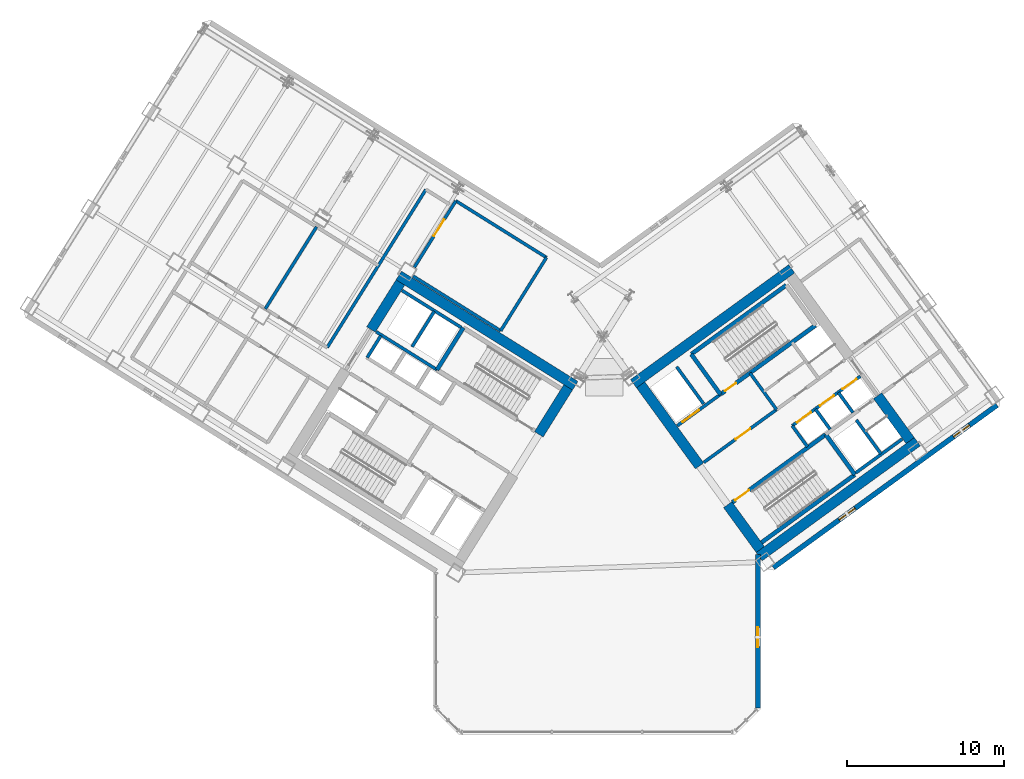
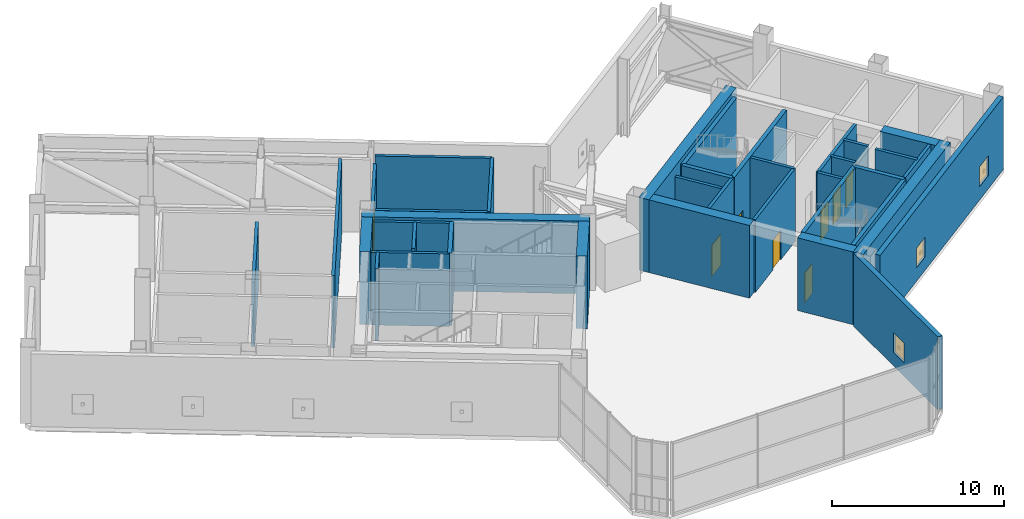
# One storey, part 15 of 21: 37 walls, 8 doors, 3 windows, 11 openings.
"""IFC4 building model written with IfcOpenShell, lengths in metres."""

from ifc_helpers import new_model, si_unit, direction, frame, frame_2d, origin, place, context, subcontext, project, spatial, rectangle, extrude, source, transform, mapped, material, layer, layer_set, type_object, element, fill, save


model = new_model("IFC4")

# Units and contexts
model_context = context("Model", 3, precision=1e-05, world=origin(), true_north=direction((0.0, 1.0)))
body_context = subcontext(model_context, "Body", "Model", "MODEL_VIEW")
ifc_project = project(units=[si_unit("LENGTHUNIT", "METRE"), si_unit("AREAUNIT", "SQUARE_METRE"), si_unit("VOLUMEUNIT", "CUBIC_METRE"), si_unit("PLANEANGLEUNIT", "RADIAN"), si_unit("MASSUNIT", "GRAM", prefix="KILO")], contexts=[model_context])

# Site, building, storey
site_placement = place(None, origin())
site = spatial("IfcSite", under=ifc_project, at=site_placement, CompositionType="ELEMENT")
building_placement = place(site_placement, origin())
building = spatial("IfcBuilding", under=site, at=building_placement, Name="Tlacorven Tower", CompositionType="ELEMENT")
storey_placement = place(building_placement, frame((0.0, 0.0, 84.60009765625)))
storey = spatial("IfcBuildingStorey", under=building, at=storey_placement, Name="L21", CompositionType="ELEMENT", Elevation=84.60009765625)

# Walls
ifc_material_1 = material(Name="Concrete C60/75", Category="concrete")
ifc_layer_1 = layer(ifc_material_1, 0.64990234375)
ifc_layer_set_1 = layer_set([ifc_layer_1], Name="Concrete C60/75")
wall_type_1 = type_object("IfcWallType", Name="WL-COR-650", PredefinedType="SHEAR", material=ifc_layer_set_1)
wall_1_placement = place(storey_placement, frame((40.615478515625, 23.9833984375, 0.0), z_axis=(0.0, 0.0, 1.0), x_axis=(-0.848045953968, 0.529922692436, 0.0)))
element("IfcWall", 1, at=wall_1_placement, inside=storey, type_object=wall_type_1, Name="L21 W core shear wall S1", PredefinedType="SHEAR", context=body_context, shape_type="SweptSolid", body=[
    extrude(rectangle(XDim=13.239990234375, YDim=0.64990234375, at=frame_2d((6.6201171875, 0.0))), origin(), (0.0, 0.0, 1.0), 5.14990234375),
])
for number, where, z_axis, x_axis, name in (
    (2, (40.167724609375, 23.880126953125, 0.0), (0.0, 0.0, 1.0), (-0.529893103397, -0.8480644427, 0.0), "L21 W core end wall E1.1"),
    (3, (29.49072265625, 30.5517578125, 0.0), (0.0, 0.0, 1.0), (-0.529893103397, -0.8480644427, 0.0), "L21 W core end wall E2.1"),
):
    element("IfcWall", number, at=place(storey_placement, frame(where, z_axis=z_axis, x_axis=x_axis)), inside=storey, type_object=wall_type_1, Name=name, PredefinedType="SHEAR", context=body_context, shape_type="SweptSolid", body=[
        extrude(rectangle(XDim=3.525146484375, YDim=0.64990234375, at=frame_2d((1.7626953125, 0.0))), origin(), (0.0, 0.0, 1.0), 5.14990234375),
    ])
wall_2_placement = place(storey_placement, frame((52.318359375, 13.1103515625, 0.0), z_axis=(0.0, 0.0, 1.0), x_axis=(0.809019445368, 0.587781878776, 0.0)))
element("IfcWall", 4, at=wall_2_placement, inside=storey, type_object=wall_type_1, Name="L21 E core shear wall S1", PredefinedType="SHEAR", context=body_context, shape_type="SweptSolid", body=[
    extrude(rectangle(XDim=12.43994140625, YDim=0.64990234375, at=frame_2d((6.219970703125, 0.0))), origin(), (0.0, 0.0, 1.0), 5.14990234375),
])
wall_3_placement = place(storey_placement, frame((44.32470703125, 24.113037109375, 0.0), z_axis=(0.0, 0.0, 1.0), x_axis=(0.809012664862, 0.58779121131, 0.0)))
element("IfcWall", 5, at=wall_3_placement, inside=storey, type_object=wall_type_1, Name="L21 E core shear wall S2", PredefinedType="SHEAR", context=body_context, shape_type="SweptSolid", body=[
    extrude(rectangle(XDim=12.439697265625, YDim=0.64990234375, at=frame_2d((6.2197265625, 0.0))), origin(), (0.0, 0.0, 1.0), 5.14990234375),
])
wall_4_placement = place(storey_placement, frame((52.390380859375, 13.564208984375, 0.0), z_axis=(0.0, 0.0, 1.0), x_axis=(-0.58779688989, 0.809008539037, 0.0)))
element("IfcWall", 6, at=wall_4_placement, inside=storey, type_object=wall_type_1, Name="L21 E core end wall E1.1", PredefinedType="SHEAR", context=body_context, shape_type="SweptSolid", body=[
    extrude(rectangle(XDim=3.525146484375, YDim=0.64990234375, at=frame_2d((1.7626953125, 0.0))), origin(), (0.0, 0.0, 1.0), 5.14990234375),
])
wall_5_placement = place(storey_placement, frame((48.525634765625, 18.883544921875, 0.0), z_axis=(0.0, 0.0, 1.0), x_axis=(-0.58777996584, 0.809020835181, 0.0)))
element("IfcWall", 7, at=wall_5_placement, inside=storey, type_object=wall_type_1, Name="L21 E core end wall E1.2", PredefinedType="SHEAR", context=body_context, shape_type="SweptSolid", body=[
    extrude(rectangle(XDim=6.375, YDim=0.64990234375, at=frame_2d((3.1875, 0.0))), origin(), (0.0, 0.0, 1.0), 5.14990234375),
])
wall_6_placement = place(storey_placement, frame((61.9287109375, 20.494384765625, 0.0), z_axis=(0.0, 0.0, 1.0), x_axis=(-0.58782982593, 0.808984607855, 0.0)))
element("IfcWall", 8, at=wall_6_placement, inside=storey, type_object=wall_type_1, Name="L21 E core end wall E2.1", PredefinedType="SHEAR", context=body_context, shape_type="SweptSolid", body=[
    extrude(rectangle(XDim=3.52490234375, YDim=0.64990234375, at=frame_2d((1.762451171875, 0.0))), origin(), (0.0, 0.0, 1.0), 5.14990234375),
])

# Wall, openings, windows
ifc_material_2 = material(Name="Precast concrete C45/55", Category="concrete")
ifc_layer_2 = layer(ifc_material_2, 0.320068359375)
ifc_layer_set_2 = layer_set([ifc_layer_2], Name="Precast concrete C45/55")
wall_type_2 = type_object("IfcWallType", Name="WL-EXT-320", PredefinedType="STANDARD", material=ifc_layer_set_2)
wall_7_placement = place(storey_placement, frame((67.45361328125, 22.746826171875, 0.0), z_axis=(0.0, 0.0, 1.0), x_axis=(-0.809021120468, -0.587779573171, 0.0)))
wall_7 = element("IfcWall", 9, at=wall_7_placement, inside=storey, type_object=wall_type_2, Name="L21 Masonry-Frame Recessed Facade Wall 6", PredefinedType="STANDARD", context=body_context, shape_type="SweptSolid", body=[
    extrude(rectangle(XDim=17.587646484375, YDim=0.320068359375, at=frame_2d((8.7939453125, 0.0))), origin(), (0.0, 0.0, 1.0), 5.14990234375),
])
opening_1_placement = place(wall_7_placement, frame((2.168701171875, 0.0, 0.949951171875)))
opening_1 = element("IfcOpeningElement", 10, at=opening_1_placement, cuts=wall_7, Name="Opening WN20", PredefinedType="OPENING", context=body_context, shape_type="SweptSolid", body=[
    extrude(rectangle(XDim=1.25, YDim=1.39990234375, at=frame_2d((0.625, 0.699951171875))), frame((0.0, 0.169921875, 0.0), z_axis=(0.0, -1.0, 0.0), x_axis=(1.0, 0.0, 0.0)), (0.0, 0.0, 1.0), 0.340087890625),
])
opening_2_placement = place(wall_7_placement, frame((11.168701171875, 0.0, 0.949951171875)))
opening_2 = element("IfcOpeningElement", 11, at=opening_2_placement, cuts=wall_7, Name="Opening WN20", PredefinedType="OPENING", context=body_context, shape_type="SweptSolid", body=[
    extrude(rectangle(XDim=1.25, YDim=1.39990234375, at=frame_2d((0.625, 0.699951171875))), frame((0.0, 0.169921875, 0.0), z_axis=(0.0, -1.0, 0.0), x_axis=(1.0, 0.0, 0.0)), (0.0, 0.0, 1.0), 0.340087890625),
])
ifc_material_3 = material(Name="Dark solar low-E double glazing in anodised aluminium frame", Category="aluminium")
window_type = type_object("IfcWindowType", Name="WN-CRN-1250X1500", PartitioningType="SINGLE_PANEL", PredefinedType="WINDOW", material=ifc_material_3)
shared_shape_1 = source(origin(), body_context, "Body", "SweptSolid", [
    extrude(rectangle(XDim=1.25, YDim=1.39990234375, at=frame_2d((0.625, 0.699951171875))), frame((0.0, 0.030029296875, 0.0), z_axis=(0.0, -1.0, 0.0), x_axis=(1.0, 0.0, 0.0)), (0.0, 0.0, 1.0), 0.06005859375),
])
window_1_placement = place(opening_1_placement, origin())
window_1 = element("IfcWindow", 12, at=window_1_placement, inside=storey, type_object=window_type, Name="L21 Acoustic Plant Facade Window 6.1", OverallHeight=1.39990234375, OverallWidth=1.25, PartitioningType="SINGLE_PANEL", PredefinedType="WINDOW", context=body_context, shape_type="MappedRepresentation", body=[
    mapped(shared_shape_1, transform((0.0, 0.0, 0.0), scale=1.0)),
])
fill(opening_1, window_1)
window_2_placement = place(opening_2_placement, origin())
window_2 = element("IfcWindow", 13, at=window_2_placement, inside=storey, type_object=window_type, Name="L21 Acoustic Plant Facade Window 6.2", OverallHeight=1.39990234375, OverallWidth=1.25, PartitioningType="SINGLE_PANEL", PredefinedType="WINDOW", context=body_context, shape_type="MappedRepresentation", body=[
    mapped(shared_shape_1, transform((0.0, 0.0, 0.0), scale=1.0)),
])
fill(opening_2, window_2)

# Wall, opening, window
wall_8_placement = place(storey_placement, frame((52.239990234375, 13.260986328125, 0.0), z_axis=(0.0, 0.0, 1.0), x_axis=(0.0, -1.0, 0.0)))
wall_8 = element("IfcWall", 14, at=wall_8_placement, inside=storey, type_object=wall_type_2, Name="L21 Masonry-Frame Recessed Facade Wall 7", PredefinedType="STANDARD", context=body_context, shape_type="SweptSolid", body=[
    extrude(rectangle(XDim=9.794677734375, YDim=0.320068359375, at=frame_2d((4.8974609375, 0.0))), origin(), (0.0, 0.0, 1.0), 5.14990234375),
])
opening_3_placement = place(wall_8_placement, frame((4.6513671875, 0.0, 0.949951171875)))
opening_3 = element("IfcOpeningElement", 15, at=opening_3_placement, cuts=wall_8, Name="Opening WN20", PredefinedType="OPENING", context=body_context, shape_type="SweptSolid", body=[
    extrude(rectangle(XDim=1.25, YDim=1.39990234375, at=frame_2d((0.625, 0.699951171875))), frame((0.0, 0.169921875, 0.0), z_axis=(0.0, -1.0, 0.0), x_axis=(1.0, 0.0, 0.0)), (0.0, 0.0, 1.0), 0.340087890625),
])
window_3_placement = place(opening_3_placement, origin())
window_3 = element("IfcWindow", 16, at=window_3_placement, inside=storey, type_object=window_type, Name="L21 Acoustic Plant Facade Window 7.1", OverallHeight=1.39990234375, OverallWidth=1.25, PartitioningType="SINGLE_PANEL", PredefinedType="WINDOW", context=body_context, shape_type="MappedRepresentation", body=[
    mapped(shared_shape_1, transform((0.0, 0.0, 0.0), scale=1.0)),
])
fill(opening_3, window_3)

# Walls
ifc_material_4 = material(Name="Concrete C40/50", Category="concrete")
ifc_layer_3 = layer(ifc_material_4, 0.199951171875)
ifc_layer_set_3 = layer_set([ifc_layer_3], Name="Concrete C40/50")
wall_type_3 = type_object("IfcWallType", Name="WL-SHF-200", PredefinedType="STANDARD", material=ifc_layer_set_3)
wall_9_placement = place(storey_placement, frame((31.82177734375, 24.99755859375, 0.0), z_axis=(0.0, 0.0, 1.0), x_axis=(-0.848058348634, 0.529902856485, 0.0)))
element("IfcWall", 17, at=wall_9_placement, inside=storey, type_object=wall_type_3, Name="L21 Core W South Lift Shaft Wall", PredefinedType="STANDARD", context=body_context, shape_type="SweptSolid", body=[
    extrude(rectangle(XDim=4.568115234375, YDim=0.199951171875, at=frame_2d((2.2841796875, 0.0))), origin(), (0.0, 0.0, 1.0), 5.139892578125),
])
wall_10_placement = place(storey_placement, frame((28.250244140625, 27.170166015625, 0.0), z_axis=(0.0, 0.0, 1.0), x_axis=(-0.529905827651, -0.848056492117, 0.0)))
element("IfcWall", 18, at=wall_10_placement, inside=storey, type_object=wall_type_3, Name="L21 partition 13", PredefinedType="STANDARD", context=body_context, shape_type="SweptSolid", body=[
    extrude(rectangle(XDim=1.64990234375, YDim=0.199951171875, at=frame_2d((0.824951171875, 0.0))), origin(), (0.0, 0.0, 1.0), 5.139892578125),
])
wall_11_placement = place(storey_placement, frame((31.645263671875, 28.716064453125, 0.0), z_axis=(0.0, 0.0, 1.0), x_axis=(-0.52986693015, -0.848080795876, 0.0)))
element("IfcWall", 19, at=wall_11_placement, inside=storey, type_object=wall_type_3, Name="L21 partition 15", PredefinedType="STANDARD", context=body_context, shape_type="SweptSolid", body=[
    extrude(rectangle(XDim=2.659912109375, YDim=0.199951171875, at=frame_2d((1.330078125, 0.0))), origin(), (0.0, 0.0, 1.0), 5.139892578125),
])
wall_12_placement = place(storey_placement, frame((33.362548828125, 27.690185546875, 0.0), z_axis=(0.0, 0.0, 1.0), x_axis=(-0.848053806312, 0.529910125964, 0.0)))
element("IfcWall", 20, at=wall_12_placement, inside=storey, type_object=wall_type_3, Name="L21 partition 17", PredefinedType="STANDARD", context=body_context, shape_type="SweptSolid", body=[
    extrude(rectangle(XDim=4.44775390625, YDim=0.199951171875, at=frame_2d((2.223876953125, 0.0))), origin(), (0.0, 0.0, 1.0), 5.139892578125),
])

# Wall, opening, door
wall_13_placement = place(storey_placement, frame((47.10595703125, 21.4365234375, 0.0), z_axis=(0.0, 0.0, 1.0), x_axis=(0.809012514015, 0.58779141893, 0.0)))
wall_13 = element("IfcWall", 21, at=wall_13_placement, inside=storey, type_object=wall_type_3, Name="L21 Core E Firefighting Lift Shaft Front Wall", PredefinedType="STANDARD", context=body_context, shape_type="SweptSolid", body=[
    extrude(rectangle(XDim=3.39794921875, YDim=0.199951171875, at=frame_2d((1.698974609375, 0.0))), origin(), (0.0, 0.0, 1.0), 5.139892578125),
])
opening_4_placement = place(wall_13_placement, frame((0.407958984375, 0.0, 0.0)))
opening_4 = element("IfcOpeningElement", 22, at=opening_4_placement, cuts=wall_13, Name="Opening LD03", PredefinedType="OPENING", context=body_context, shape_type="SweptSolid", body=[
    extrude(rectangle(XDim=1.300048828125, YDim=2.199951171875, at=frame_2d((0.64990234375, 1.10009765625))), frame((0.0, 0.10986328125, 0.0), z_axis=(0.0, -1.0, 0.0), x_axis=(1.0, 0.0, 0.0)), (0.0, 0.0, 1.0), 0.219970703125),
])
ifc_material_5 = material(Name="Fire-rated steel door assembly", Category="steel")
door_type_1 = type_object("IfcDoorType", Name="DR-LFT-SLID-1300", OperationType="DOUBLE_DOOR_SLIDING", PredefinedType="DOOR", material=ifc_material_5)
shared_shape_2 = source(origin(), body_context, "Body", "SweptSolid", [
    extrude(rectangle(XDim=1.300048828125, YDim=2.199951171875, at=frame_2d((0.64990234375, 1.10009765625))), frame((0.0, 0.02490234375, 0.0), z_axis=(0.0, -1.0, 0.0), x_axis=(1.0, 0.0, 0.0)), (0.0, 0.0, 1.0), 0.050048828125),
])
door_1_placement = place(opening_4_placement, origin())
door_1 = element("IfcDoor", 23, at=door_1_placement, inside=storey, type_object=door_type_1, Name="L21 Lift FFL-E1 Sliding Landing Door", OperationType="DOUBLE_DOOR_SLIDING", OverallHeight=2.199951171875, OverallWidth=1.300048828125, PredefinedType="DOOR", context=body_context, shape_type="MappedRepresentation", body=[
    mapped(shared_shape_2, transform((0.0, 0.0, 0.0), scale=1.0)),
])
fill(opening_4, door_1)

wall_14_placement = place(storey_placement, frame((48.798828125, 19.106689453125, 0.0), z_axis=(0.0, 0.0, 1.0), x_axis=(0.809012959416, 0.587790805897, 0.0)))
wall_14 = element("IfcWall", 24, at=wall_14_placement, inside=storey, type_object=wall_type_3, Name="L21 Core E Smoke Lobby Wall", PredefinedType="STANDARD", context=body_context, shape_type="SweptSolid", body=[
    extrude(rectangle(XDim=5.7177734375, YDim=0.199951171875, at=frame_2d((2.85888671875, 0.0))), origin(), (0.0, 0.0, 1.0), 5.139892578125),
])
opening_5_placement = place(wall_14_placement, frame((2.498046875, 0.0, 0.0)))
opening_5 = element("IfcOpeningElement", 25, at=opening_5_placement, cuts=wall_14, Name="Opening D09", PredefinedType="OPENING", context=body_context, shape_type="SweptSolid", body=[
    extrude(rectangle(XDim=1.14990234375, YDim=2.10009765625, at=frame_2d((0.574951171875, 1.050048828125))), frame((0.0, 0.10986328125, 0.0), z_axis=(0.0, -1.0, 0.0), x_axis=(1.0, 0.0, 0.0)), (0.0, 0.0, 1.0), 0.219970703125),
])
door_type_2 = type_object("IfcDoorType", Name="DR-FFL-FD60-1150", OperationType="NOTDEFINED", PredefinedType="DOOR", material=ifc_material_5)
shared_shape_3 = source(origin(), body_context, "Body", "SweptSolid", [
    extrude(rectangle(XDim=1.14990234375, YDim=2.10009765625, at=frame_2d((0.574951171875, 1.050048828125))), frame((0.0, 0.02490234375, 0.0), z_axis=(0.0, -1.0, 0.0), x_axis=(1.0, 0.0, 0.0)), (0.0, 0.0, 1.0), 0.050048828125),
])
door_2_placement = place(opening_5_placement, origin())
door_2 = element("IfcDoor", 26, at=door_2_placement, inside=storey, type_object=door_type_2, Name="L21 Firefighting Lobby E Fire Door", OperationType="SINGLE_SWING_RIGHT", OverallHeight=2.10009765625, OverallWidth=1.14990234375, PredefinedType="DOOR", context=body_context, shape_type="MappedRepresentation", body=[
    mapped(shared_shape_3, transform((0.0, 0.0, 0.0), scale=1.0)),
])
fill(opening_5, door_2)

# Wall, openings, doors
wall_15_placement = place(storey_placement, frame((54.421142578125, 21.436279296875, 0.0), z_axis=(0.0, 0.0, 1.0), x_axis=(0.809013710463, 0.587789772183, 0.0)))
wall_15 = element("IfcWall", 27, at=wall_15_placement, inside=storey, type_object=wall_type_3, Name="L21 partition 33", PredefinedType="STANDARD", context=body_context, shape_type="SweptSolid", body=[
    extrude(rectangle(XDim=5.360107421875, YDim=0.199951171875, at=frame_2d((2.68017578125, 0.0))), origin(), (0.0, 0.0, 1.0), 5.139892578125),
])
opening_6_placement = place(wall_15_placement, frame((0.3701171875, 0.0, 0.0)))
opening_6 = element("IfcOpeningElement", 28, at=opening_6_placement, cuts=wall_15, Name="Opening LD01", PredefinedType="OPENING", context=body_context, shape_type="SweptSolid", body=[
    extrude(rectangle(XDim=1.10009765625, YDim=2.14990234375, at=frame_2d((0.550048828125, 1.074951171875))), frame((0.0, 0.10986328125, 0.0), z_axis=(0.0, -1.0, 0.0), x_axis=(1.0, 0.0, 0.0)), (0.0, 0.0, 1.0), 0.219970703125),
])
opening_7_placement = place(wall_15_placement, frame((2.169921875, 0.0, 0.0)))
opening_7 = element("IfcOpeningElement", 29, at=opening_7_placement, cuts=wall_15, Name="Opening LD01", PredefinedType="OPENING", context=body_context, shape_type="SweptSolid", body=[
    extrude(rectangle(XDim=1.10009765625, YDim=2.14990234375, at=frame_2d((0.550048828125, 1.074951171875))), frame((0.0, 0.10986328125, 0.0), z_axis=(0.0, -1.0, 0.0), x_axis=(1.0, 0.0, 0.0)), (0.0, 0.0, 1.0), 0.219970703125),
])
opening_8_placement = place(wall_15_placement, frame((3.969970703125, 0.0, 0.0)))
opening_8 = element("IfcOpeningElement", 30, at=opening_8_placement, cuts=wall_15, Name="Opening LD01", PredefinedType="OPENING", context=body_context, shape_type="SweptSolid", body=[
    extrude(rectangle(XDim=1.10009765625, YDim=2.14990234375, at=frame_2d((0.550048828125, 1.074951171875))), frame((0.0, 0.10986328125, 0.0), z_axis=(0.0, -1.0, 0.0), x_axis=(1.0, 0.0, 0.0)), (0.0, 0.0, 1.0), 0.219970703125),
])
door_type_3 = type_object("IfcDoorType", Name="DR-LFT-SLID-1100", OperationType="DOUBLE_DOOR_SLIDING", PredefinedType="DOOR", material=ifc_material_5)
shared_shape_4 = source(origin(), body_context, "Body", "SweptSolid", [
    extrude(rectangle(XDim=1.10009765625, YDim=2.14990234375, at=frame_2d((0.550048828125, 1.074951171875))), frame((0.0, 0.02490234375, 0.0), z_axis=(0.0, -1.0, 0.0), x_axis=(1.0, 0.0, 0.0)), (0.0, 0.0, 1.0), 0.050048828125),
])
door_3_placement = place(opening_6_placement, origin())
door_3 = element("IfcDoor", 31, at=door_3_placement, inside=storey, type_object=door_type_3, Name="L21 Lift PL-L1 Sliding Landing Door", OperationType="DOUBLE_DOOR_SLIDING", OverallHeight=2.14990234375, OverallWidth=1.10009765625, PredefinedType="DOOR", context=body_context, shape_type="MappedRepresentation", body=[
    mapped(shared_shape_4, transform((0.0, 0.0, 0.0), scale=1.0)),
])
fill(opening_6, door_3)
door_4_placement = place(opening_7_placement, origin())
door_4 = element("IfcDoor", 32, at=door_4_placement, inside=storey, type_object=door_type_3, Name="L21 Lift PL-L2 Sliding Landing Door", OperationType="DOUBLE_DOOR_SLIDING", OverallHeight=2.14990234375, OverallWidth=1.10009765625, PredefinedType="DOOR", context=body_context, shape_type="MappedRepresentation", body=[
    mapped(shared_shape_4, transform((0.0, 0.0, 0.0), scale=1.0)),
])
fill(opening_7, door_4)
door_5_placement = place(opening_8_placement, origin())
door_5 = element("IfcDoor", 33, at=door_5_placement, inside=storey, type_object=door_type_3, Name="L21 Lift PL-L3 Sliding Landing Door", OperationType="DOUBLE_DOOR_SLIDING", OverallHeight=2.14990234375, OverallWidth=1.10009765625, PredefinedType="DOOR", context=body_context, shape_type="MappedRepresentation", body=[
    mapped(shared_shape_4, transform((0.0, 0.0, 0.0), scale=1.0)),
])
fill(opening_8, door_5)

# Walls
wall_16_placement = place(storey_placement, frame((55.390869140625, 20.1015625, 0.0), z_axis=(0.0, 0.0, 1.0), x_axis=(-0.58778447739, 0.809017557374, 0.0)))
element("IfcWall", 34, at=wall_16_placement, inside=storey, type_object=wall_type_3, Name="L21 partition 34", PredefinedType="STANDARD", context=body_context, shape_type="SweptSolid", body=[
    extrude(rectangle(XDim=1.64990234375, YDim=0.199951171875, at=frame_2d((0.824951171875, 0.0))), origin(), (0.0, 0.0, 1.0), 5.139892578125),
])
wall_17_placement = place(storey_placement, frame((48.78564453125, 22.830078125, 0.0), z_axis=(0.0, 0.0, 1.0), x_axis=(-0.587783856777, 0.809018008275, 0.0)))
element("IfcWall", 35, at=wall_17_placement, inside=storey, type_object=wall_type_3, Name="L21 partition 35", PredefinedType="STANDARD", context=body_context, shape_type="SweptSolid", body=[
    extrude(rectangle(XDim=2.919921875, YDim=0.199951171875, at=frame_2d((1.4599609375, 0.0))), origin(), (0.0, 0.0, 1.0), 5.139892578125),
])
wall_18_placement = place(storey_placement, frame((56.833984375, 21.211669921875, 0.0), z_axis=(0.0, 0.0, 1.0), x_axis=(-0.58776738483, 0.809029975545, 0.0)))
element("IfcWall", 36, at=wall_18_placement, inside=storey, type_object=wall_type_3, Name="L21 partition 36", PredefinedType="STANDARD", context=body_context, shape_type="SweptSolid", body=[
    extrude(rectangle(XDim=1.580078125, YDim=0.199951171875, at=frame_2d((0.7900390625, 0.0))), origin(), (0.0, 0.0, 1.0), 5.139892578125),
])
wall_19_placement = place(storey_placement, frame((58.290283203125, 22.269775390625, 0.0), z_axis=(0.0, 0.0, 1.0), x_axis=(-0.587840865826, 0.808976585857, 0.0)))
element("IfcWall", 37, at=wall_19_placement, inside=storey, type_object=wall_type_3, Name="L21 partition 37", PredefinedType="STANDARD", context=body_context, shape_type="SweptSolid", body=[
    extrude(rectangle(XDim=1.579833984375, YDim=0.199951171875, at=frame_2d((0.7900390625, 0.0))), origin(), (0.0, 0.0, 1.0), 5.139892578125),
])
wall_20_placement = place(storey_placement, frame((60.066650390625, 19.654541015625, 0.0), z_axis=(0.0, 0.0, 1.0), x_axis=(-0.587800520745, 0.809005900975, 0.0)))
element("IfcWall", 38, at=wall_20_placement, inside=storey, type_object=wall_type_3, Name="L21 partition 38", PredefinedType="STANDARD", context=body_context, shape_type="SweptSolid", body=[
    extrude(rectangle(XDim=2.659912109375, YDim=0.199951171875, at=frame_2d((1.330078125, 0.0))), origin(), (0.0, 0.0, 1.0), 5.139892578125),
])
wall_21_placement = place(storey_placement, frame((58.47216796875, 18.446533203125, 0.0), z_axis=(0.0, 0.0, 1.0), x_axis=(0.809022487728, 0.587777691266, 0.0)))
element("IfcWall", 39, at=wall_21_placement, inside=storey, type_object=wall_type_3, Name="L21 partition 40", PredefinedType="STANDARD", context=body_context, shape_type="SweptSolid", body=[
    extrude(rectangle(XDim=3.648193359375, YDim=0.199951171875, at=frame_2d((1.82421875, 0.0))), origin(), (0.0, 0.0, 1.0), 5.139892578125),
])
wall_22_placement = place(storey_placement, frame((53.424560546875, 22.467529296875, 0.0), z_axis=(0.0, 0.0, 1.0), x_axis=(-0.5877230039, 0.809062216821, 0.0)))
element("IfcWall", 40, at=wall_22_placement, inside=storey, type_object=wall_type_3, Name="L21 partition 42", PredefinedType="STANDARD", context=body_context, shape_type="SweptSolid", body=[
    extrude(rectangle(XDim=2.8798828125, YDim=0.199951171875, at=frame_2d((1.43994140625, 0.0))), origin(), (0.0, 0.0, 1.0), 5.139892578125),
])
wall_23_placement = place(storey_placement, frame((38.786376953125, 32.142578125, 0.0), z_axis=(0.0, 0.0, 1.0), x_axis=(-0.848048724775, 0.529918258231, 0.0)))
element("IfcWall", 41, at=wall_23_placement, inside=storey, type_object=wall_type_3, Name="L21 partition 50", PredefinedType="STANDARD", context=body_context, shape_type="SweptSolid", body=[
    extrude(rectangle(XDim=6.800048828125, YDim=0.199951171875, at=frame_2d((3.39990234375, 0.0))), origin(), (0.0, 0.0, 1.0), 5.139892578125),
])
wall_24_placement = place(storey_placement, frame((35.87158203125, 27.478271484375, 0.0), z_axis=(0.0, 0.0, 1.0), x_axis=(-0.848042088546, 0.529928878299, 0.0)))
element("IfcWall", 42, at=wall_24_placement, inside=storey, type_object=wall_type_3, Name="L21 partition 51", PredefinedType="STANDARD", context=body_context, shape_type="SweptSolid", body=[
    extrude(rectangle(XDim=6.577880859375, YDim=0.199951171875, at=frame_2d((3.2890625, 0.0))), origin(), (0.0, 0.0, 1.0), 5.139892578125),
])
wall_25_placement = place(storey_placement, frame((38.786376953125, 32.142578125, 0.0), z_axis=(0.0, 0.0, 1.0), x_axis=(-0.529947070012, -0.848030720544, 0.0)))
element("IfcWall", 43, at=wall_25_placement, inside=storey, type_object=wall_type_3, Name="L21 partition 52", PredefinedType="STANDARD", context=body_context, shape_type="SweptSolid", body=[
    extrude(rectangle(XDim=5.500244140625, YDim=0.199951171875, at=frame_2d((2.75, 0.0))), origin(), (0.0, 0.0, 1.0), 5.139892578125),
])

# Wall, opening, door
wall_26_placement = place(storey_placement, frame((33.01953125, 35.74609375, 0.0), z_axis=(0.0, 0.0, 1.0), x_axis=(-0.529915347887, -0.848050543349, 0.0)))
wall_26 = element("IfcWall", 44, at=wall_26_placement, inside=storey, type_object=wall_type_3, Name="L21 partition 53", PredefinedType="STANDARD", context=body_context, shape_type="SweptSolid", body=[
    extrude(rectangle(XDim=4.98828125, YDim=0.199951171875, at=frame_2d((2.494140625, 0.0))), origin(), (0.0, 0.0, 1.0), 4.574951171875),
])
opening_9_placement = place(wall_26_placement, frame((1.39990234375, 0.0, 0.0)))
opening_9 = element("IfcOpeningElement", 45, at=opening_9_placement, cuts=wall_26, Name="Opening D08", PredefinedType="OPENING", context=body_context, shape_type="SweptSolid", body=[
    extrude(rectangle(XDim=1.25, YDim=2.14990234375, at=frame_2d((0.625, 1.074951171875))), frame((0.0, 0.10986328125, 0.0), z_axis=(0.0, -1.0, 0.0), x_axis=(1.0, 0.0, 0.0)), (0.0, 0.0, 1.0), 0.219970703125),
])
door_type_4 = type_object("IfcDoorType", Name="DR-STR-FD90-1250", OperationType="NOTDEFINED", PredefinedType="DOOR", material=ifc_material_5)
shared_shape_5 = source(origin(), body_context, "Body", "SweptSolid", [
    extrude(rectangle(XDim=1.25, YDim=2.14990234375, at=frame_2d((0.625, 1.074951171875))), frame((0.0, 0.02490234375, 0.0), z_axis=(0.0, -1.0, 0.0), x_axis=(1.0, 0.0, 0.0)), (0.0, 0.0, 1.0), 0.050048828125),
])
door_6_placement = place(opening_9_placement, origin())
door_6 = element("IfcDoor", 46, at=door_6_placement, inside=storey, type_object=door_type_4, Name="L21 door 020", OperationType="SINGLE_SWING_LEFT", OverallHeight=2.14990234375, OverallWidth=1.25, PredefinedType="DOOR", context=body_context, shape_type="MappedRepresentation", body=[
    mapped(shared_shape_5, transform((0.0, 0.0, 0.0), scale=1.0)),
])
fill(opening_9, door_6)

# Walls
wall_27_placement = place(storey_placement, frame((31.111572265625, 36.466552734375, 0.0), z_axis=(0.0, 0.0, 1.0), x_axis=(-0.529921156925, -0.848046913469, 0.0)))
element("IfcWall", 47, at=wall_27_placement, inside=storey, type_object=wall_type_3, Name="L21 partition 56", PredefinedType="STANDARD", context=body_context, shape_type="SweptSolid", body=[
    extrude(rectangle(XDim=11.849853515625, YDim=0.199951171875, at=frame_2d((5.9248046875, 0.0))), origin(), (0.0, 0.0, 1.0), 5.139892578125),
])
wall_28_placement = place(storey_placement, frame((24.156005859375, 34.091552734375, 0.0), z_axis=(0.0, 0.0, 1.0), x_axis=(-0.529934707271, -0.84803844608, 0.0)))
element("IfcWall", 48, at=wall_28_placement, inside=storey, type_object=wall_type_3, Name="L21 partition 58", PredefinedType="STANDARD", context=body_context, shape_type="SweptSolid", body=[
    extrude(rectangle(XDim=6.14990234375, YDim=0.199951171875, at=frame_2d((3.074951171875, 0.0))), origin(), (0.0, 0.0, 1.0), 4.574951171875),
])
ifc_material_6 = material(Name="Concrete C50/60", Category="concrete")
ifc_layer_4 = layer(ifc_material_6, 0.260009765625)
ifc_layer_set_4 = layer_set([ifc_layer_4], Name="Concrete C50/60")
wall_type_4 = type_object("IfcWallType", Name="WL-STW-260", PredefinedType="SHEAR", material=ifc_layer_set_4)
wall_29_placement = place(storey_placement, frame((33.496337890625, 27.677490234375, 0.0), z_axis=(0.0, 0.0, 1.0), x_axis=(-0.529908658664, -0.84805472316, 0.0)))
element("IfcWall", 49, at=wall_29_placement, inside=storey, type_object=wall_type_4, Name="L21 Stair W2 East Shear Wall", PredefinedType="SHEAR", context=body_context, shape_type="SweptSolid", body=[
    extrude(rectangle(XDim=3.16015625, YDim=0.260009765625, at=frame_2d((1.580078125, 0.0))), origin(), (0.0, 0.0, 1.0), 5.14990234375),
])
wall_30_placement = place(storey_placement, frame((48.005615234375, 25.996337890625, 0.0), z_axis=(0.0, 0.0, 1.0), x_axis=(0.80901903764, 0.587782439969, 0.0)))
element("IfcWall", 50, at=wall_30_placement, inside=storey, type_object=wall_type_4, Name="L21 Stair E1 Far Shear Wall", PredefinedType="SHEAR", context=body_context, shape_type="SweptSolid", body=[
    extrude(rectangle(XDim=7.4599609375, YDim=0.260009765625, at=frame_2d((3.72998046875, 0.0))), origin(), (0.0, 0.0, 1.0), 5.14990234375),
])

# Wall, opening, door
wall_31_placement = place(storey_placement, frame((49.863037109375, 23.439697265625, 0.0), z_axis=(0.0, 0.0, 1.0), x_axis=(0.809003474932, 0.587803859759, 0.0)))
wall_31 = element("IfcWall", 51, at=wall_31_placement, inside=storey, type_object=wall_type_4, Name="L21 Stair E1 Lobby Shear Wall", PredefinedType="SHEAR", context=body_context, shape_type="SweptSolid", body=[
    extrude(rectangle(XDim=7.4599609375, YDim=0.260009765625, at=frame_2d((3.72998046875, 0.0))), origin(), (0.0, 0.0, 1.0), 5.14990234375),
])
opening_10_placement = place(wall_31_placement, frame((0.360107421875, 0.0, 0.0)))
opening_10 = element("IfcOpeningElement", 52, at=opening_10_placement, cuts=wall_31, Name="Opening D19", PredefinedType="OPENING", context=body_context, shape_type="SweptSolid", body=[
    extrude(rectangle(XDim=0.860107421875, YDim=2.050048828125, at=frame_2d((0.43017578125, 1.02490234375))), frame((0.0, 0.14013671875, 0.0), z_axis=(0.0, -1.0, 0.0), x_axis=(1.0, 0.0, 0.0)), (0.0, 0.0, 1.0), 0.280029296875),
])
door_type_5 = type_object("IfcDoorType", Name="DR-RSR-FD60-0860", OperationType="NOTDEFINED", PredefinedType="DOOR", material=ifc_material_5)
shared_shape_6 = source(origin(), body_context, "Body", "SweptSolid", [
    extrude(rectangle(XDim=0.860107421875, YDim=2.050048828125, at=frame_2d((0.43017578125, 1.02490234375))), frame((0.0, 0.02490234375, 0.0), z_axis=(0.0, -1.0, 0.0), x_axis=(1.0, 0.0, 0.0)), (0.0, 0.0, 1.0), 0.050048828125),
])
door_7_placement = place(opening_10_placement, frame((0.860107421875, 0.0, 0.0), z_axis=(0.0, 0.0, 1.0), x_axis=(-1.0, 0.0, 0.0)))
door_7 = element("IfcDoor", 53, at=door_7_placement, inside=storey, type_object=door_type_5, Name="L21 Exit Stair E1 Fire Door", OperationType="SINGLE_SWING_LEFT", OverallHeight=2.050048828125, OverallWidth=0.860107421875, PredefinedType="DOOR", context=body_context, shape_type="MappedRepresentation", body=[
    mapped(shared_shape_6, transform((0.0, 0.0, 0.0), scale=1.0)),
])
fill(opening_10, door_7)

# Walls
wall_32_placement = place(storey_placement, frame((49.85498046875, 23.433837890625, 0.0), z_axis=(0.0, 0.0, 1.0), x_axis=(-0.58776738483, 0.809029975545, 0.0)))
element("IfcWall", 54, at=wall_32_placement, inside=storey, type_object=wall_type_4, Name="L21 Stair E1 West Shear Wall", PredefinedType="SHEAR", context=body_context, shape_type="SweptSolid", body=[
    extrude(rectangle(XDim=3.16015625, YDim=0.260009765625, at=frame_2d((1.580078125, 0.0))), origin(), (0.0, 0.0, 1.0), 5.14990234375),
])
wall_33_placement = place(storey_placement, frame((52.47216796875, 14.01318359375, 0.0), z_axis=(0.0, 0.0, 1.0), x_axis=(0.809028366311, 0.587769599847, 0.0)))
element("IfcWall", 55, at=wall_33_placement, inside=storey, type_object=wall_type_4, Name="L21 Stair E2 Far Shear Wall", PredefinedType="SHEAR", context=body_context, shape_type="SweptSolid", body=[
    extrude(rectangle(XDim=7.330078125, YDim=0.260009765625, at=frame_2d((3.6650390625, 0.0))), origin(), (0.0, 0.0, 1.0), 5.14990234375),
])

# Wall, opening, door
wall_34_placement = place(storey_placement, frame((50.61474609375, 16.569580078125, 0.0), z_axis=(0.0, 0.0, 1.0), x_axis=(0.809028366311, 0.587769599847, 0.0)))
wall_34 = element("IfcWall", 56, at=wall_34_placement, inside=storey, type_object=wall_type_4, Name="L21 Stair E2 Lobby Shear Wall", PredefinedType="SHEAR", context=body_context, shape_type="SweptSolid", body=[
    extrude(rectangle(XDim=7.330078125, YDim=0.260009765625, at=frame_2d((3.6650390625, 0.0))), origin(), (0.0, 0.0, 1.0), 5.14990234375),
])
opening_11_placement = place(wall_34_placement, frame((0.219970703125, 0.0, 0.0)))
opening_11 = element("IfcOpeningElement", 57, at=opening_11_placement, cuts=wall_34, Name="Opening D07", PredefinedType="OPENING", context=body_context, shape_type="SweptSolid", body=[
    extrude(rectangle(XDim=1.10009765625, YDim=2.10009765625, at=frame_2d((0.550048828125, 1.050048828125))), frame((0.0, 0.14013671875, 0.0), z_axis=(0.0, -1.0, 0.0), x_axis=(1.0, 0.0, 0.0)), (0.0, 0.0, 1.0), 0.280029296875),
])
door_type_6 = type_object("IfcDoorType", Name="DR-STR-FD90-1100", OperationType="NOTDEFINED", PredefinedType="DOOR", material=ifc_material_5)
shared_shape_7 = source(origin(), body_context, "Body", "SweptSolid", [
    extrude(rectangle(XDim=1.10009765625, YDim=2.10009765625, at=frame_2d((0.550048828125, 1.050048828125))), frame((0.0, 0.02490234375, 0.0), z_axis=(0.0, -1.0, 0.0), x_axis=(1.0, 0.0, 0.0)), (0.0, 0.0, 1.0), 0.050048828125),
])
door_8_placement = place(opening_11_placement, origin())
door_8 = element("IfcDoor", 58, at=door_8_placement, inside=storey, type_object=door_type_6, Name="L21 Exit Stair E2 Fire Door", OperationType="SINGLE_SWING_LEFT", OverallHeight=2.10009765625, OverallWidth=1.10009765625, PredefinedType="DOOR", context=body_context, shape_type="MappedRepresentation", body=[
    mapped(shared_shape_7, transform((0.0, 0.0, 0.0), scale=1.0)),
])
fill(opening_11, door_8)

# Wall
wall_35_placement = place(storey_placement, frame((58.410400390625, 18.327392578125, 0.0), z_axis=(0.0, 0.0, 1.0), x_axis=(-0.58776738483, 0.809029975545, 0.0)))
element("IfcWall", 59, at=wall_35_placement, inside=storey, type_object=wall_type_4, Name="L21 Stair E2 East Shear Wall", PredefinedType="SHEAR", context=body_context, shape_type="SweptSolid", body=[
    extrude(rectangle(XDim=3.16015625, YDim=0.260009765625, at=frame_2d((1.580078125, 0.0))), origin(), (0.0, 0.0, 1.0), 5.14990234375),
])

save(model, "model.ifc")
